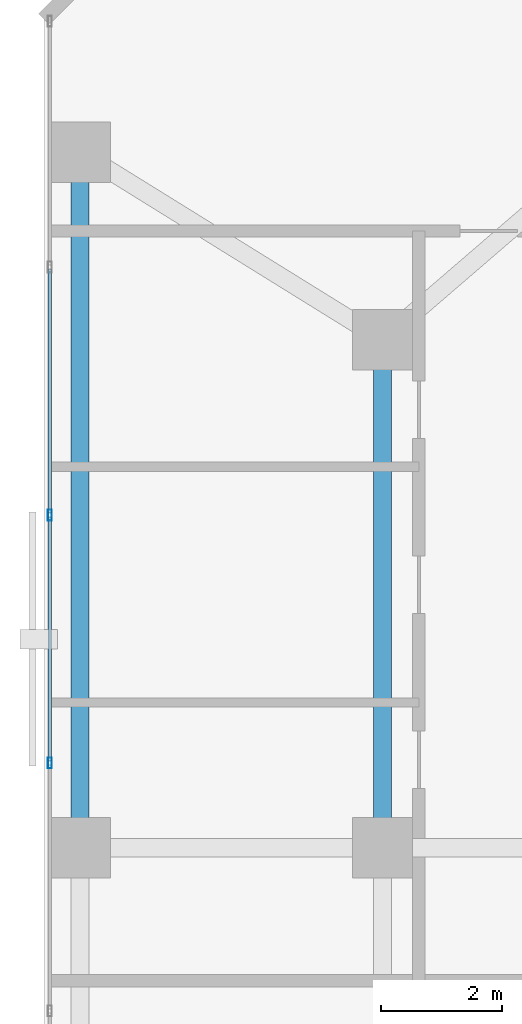
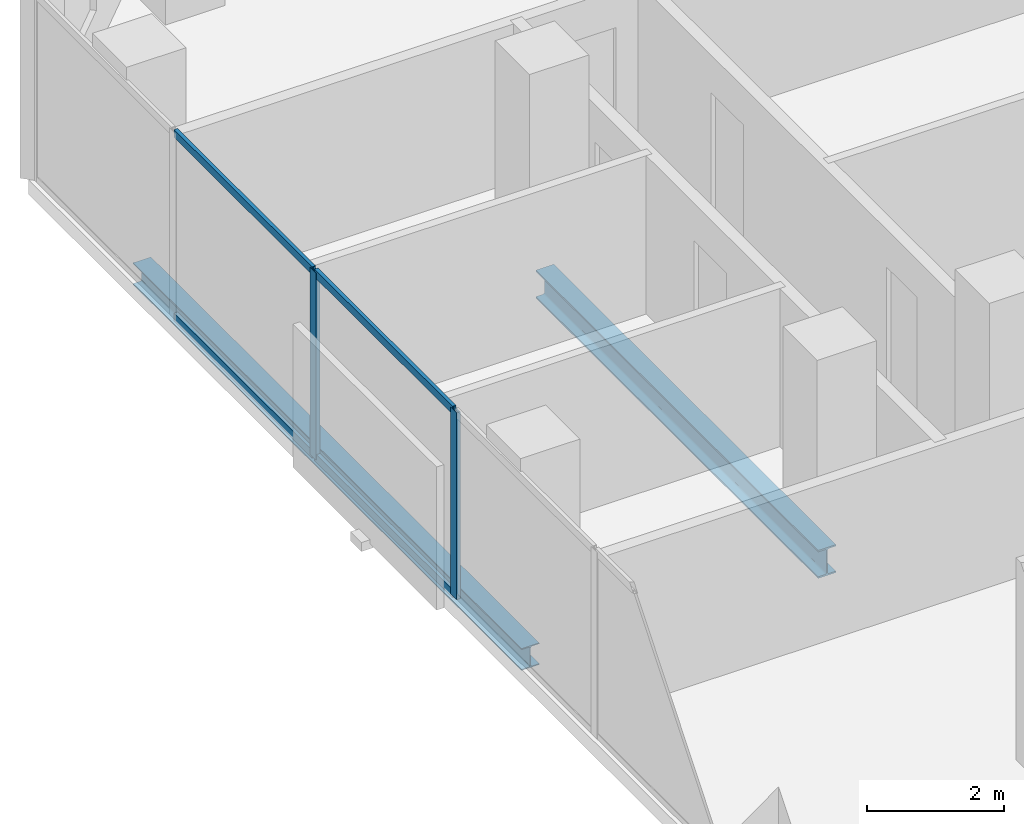
# One storey, part 16 of 31: 6 members, 2 beams, 1 element without a shape of its own.
"""IFC4 building model written with IfcOpenShell, lengths in metres."""

from ifc_helpers import new_model, si_unit, direction, frame, origin, origin_2d, place, context, subcontext, project, spatial, hollow_rectangle, i_section, extrude, material, layer, layer_set, material_profile, profile_set, type_object, element, aggregate, save


model = new_model("IFC4")

# Units and contexts
model_context = context("Model", 3, precision=1e-05, world=origin(), true_north=direction((0.0, 1.0)))
body_context = subcontext(model_context, "Body", "Model", "MODEL_VIEW")
ifc_project = project(units=[si_unit("LENGTHUNIT", "METRE"), si_unit("AREAUNIT", "SQUARE_METRE"), si_unit("VOLUMEUNIT", "CUBIC_METRE"), si_unit("PLANEANGLEUNIT", "RADIAN"), si_unit("MASSUNIT", "GRAM", prefix="KILO")], contexts=[model_context])

# Site, building, storey
site_placement = place(None, origin())
site = spatial("IfcSite", under=ifc_project, at=site_placement, CompositionType="ELEMENT")
building_placement = place(site_placement, origin())
building = spatial("IfcBuilding", under=site, at=building_placement, Name="Catumbela Crestline Tower", CompositionType="ELEMENT")
storey_placement = place(building_placement, frame((0.0, 0.0, 40.2)))
storey = spatial("IfcBuildingStorey", under=building, at=storey_placement, Name="L09", CompositionType="ELEMENT", Elevation=40.2)

# Beam
ifc_material_1 = material(Name="Structural steel S355J2", Category="steel")
ifc_material_profile_1 = material_profile(ifc_material_1, i_section(OverallWidth=0.3, OverallDepth=0.5, WebThickness=0.0145, FlangeThickness=0.028, FilletRadius=0.027, at=origin_2d()), Name="HEB 500")
ifc_profile_set_1 = profile_set([ifc_material_profile_1], Name="Structural steel S355J2")
beam_type_1 = type_object("IfcBeamType", Name="BG-HEB500", PredefinedType="BEAM", material=ifc_profile_set_1)
beam_1_placement = place(storey_placement, frame((5.6, 30.88, -0.51), z_axis=(0.0, 1.0, 0.0), x_axis=(-1.0, 0.0, 0.0)))
element("IfcBeam", 1, at=beam_1_placement, inside=storey, type_object=beam_type_1, Name="L09 Beam BM-L09-SN28", PredefinedType="BEAM", context=body_context, shape_type="SweptSolid", body=[
    extrude(i_section(OverallWidth=0.3, OverallDepth=0.5, WebThickness=0.0145, FlangeThickness=0.028, FilletRadius=0.027, at=origin_2d()), origin(), (0.0, 0.0, 1.0), 8.24),
])

# Curtain wall, members
ifc_material_2 = material(Name="Aluminium alloy AW-6060-T66", Category="aluminium")
ifc_layer = layer(ifc_material_2, 0.18, Name="Aluminium alloy AW-6060-T66")
ifc_layer_set = layer_set([ifc_layer], Name="Aluminium alloy AW-6060-T66")
curtain_wall_type = type_object("IfcCurtainWallType", Name="CWU-Z1", PredefinedType="USERDEFINED", material=ifc_layer_set)
curtain_wall_placement = place(storey_placement, origin())
curtain_wall = element("IfcCurtainWall", 2, at=curtain_wall_placement, inside=storey, type_object=curtain_wall_type, Name="L09 Unitised Curtain Wall CW-L09-E9S1", ObjectType="UNITISED", PredefinedType="USERDEFINED")
ifc_material_profile_2 = material_profile(ifc_material_2, hollow_rectangle(XDim=0.065, YDim=0.18, WallThickness=0.004, at=origin_2d()), Name="ALU 180x65x4")
ifc_profile_set_2 = profile_set([ifc_material_profile_2], Name="Aluminium alloy AW-6060-T66")
member_type_1 = type_object("IfcMemberType", Name="MUL-180X65", PredefinedType="MULLION", material=ifc_profile_set_2)
member_1_placement = place(storey_placement, frame((0.1, 36.3, 0.0), z_axis=(0.0, 0.0, 1.0), x_axis=(1.0, 0.0, 0.0)))
member_1 = element("IfcMember", 3, at=member_1_placement, type_object=member_type_1, Name="CWU-Z1 mullion 3", PredefinedType="MULLION", context=body_context, shape_type="SweptSolid", body=[
    extrude(hollow_rectangle(XDim=0.065, YDim=0.18, WallThickness=0.004, at=origin_2d()), origin(), (0.0, 0.0, 1.0), 3.33),
])
member_2_placement = place(storey_placement, frame((0.1, 32.2, 0.0), z_axis=(0.0, 0.0, 1.0), x_axis=(1.0, 0.0, 0.0)))
member_2 = element("IfcMember", 4, at=member_2_placement, type_object=member_type_1, Name="CWU-Z1 mullion 4", PredefinedType="MULLION", context=body_context, shape_type="SweptSolid", body=[
    extrude(hollow_rectangle(XDim=0.065, YDim=0.18, WallThickness=0.004, at=origin_2d()), origin(), (0.0, 0.0, 1.0), 3.33),
])

# Beam
ifc_material_profile_3 = material_profile(ifc_material_1, i_section(OverallWidth=0.3, OverallDepth=0.39, WebThickness=0.011, FlangeThickness=0.019, FilletRadius=0.027, at=origin_2d()), Name="HEA 400")
ifc_profile_set_3 = profile_set([ifc_material_profile_3], Name="Structural steel S355J2")
beam_type_2 = type_object("IfcBeamType", Name="BS-HEA400", PredefinedType="SPANDREL", material=ifc_profile_set_3)
beam_2_placement = place(storey_placement, frame((0.6, 30.88, -0.455), z_axis=(0.0, 1.0, 0.0), x_axis=(-1.0, 0.0, 0.0)))
element("IfcBeam", 5, at=beam_2_placement, inside=storey, type_object=beam_type_2, Name="L09 Spandrel SP-L09-SN26", PredefinedType="SPANDREL", context=body_context, shape_type="SweptSolid", body=[
    extrude(i_section(OverallWidth=0.3, OverallDepth=0.39, WebThickness=0.011, FlangeThickness=0.019, FilletRadius=0.027, at=origin_2d()), origin(), (0.0, 0.0, 1.0), 11.34),
])

# Member
ifc_material_profile_4 = material_profile(ifc_material_2, hollow_rectangle(XDim=0.06, YDim=0.14, WallThickness=0.004, at=origin_2d()), Name="ALU 140x60x4")
ifc_profile_set_4 = profile_set([ifc_material_profile_4], Name="Aluminium alloy AW-6060-T66")
member_type_2 = type_object("IfcMemberType", Name="TRN-140X60", PredefinedType="USERDEFINED", material=ifc_profile_set_4)
member_3_placement = place(storey_placement, frame((0.1, 40.3675, 0.03), z_axis=(0.0, -1.0, 0.0), x_axis=(1.0, 0.0, 0.0)))
member_3 = element("IfcMember", 6, at=member_3_placement, type_object=member_type_2, Name="CWU-Z1 transom 2.1", ObjectType="TRANSOM", PredefinedType="USERDEFINED", context=body_context, shape_type="SweptSolid", body=[
    extrude(hollow_rectangle(XDim=0.06, YDim=0.14, WallThickness=0.004, at=origin_2d()), origin(), (0.0, 0.0, 1.0), 4.035),
])

member_4_placement = place(storey_placement, frame((0.1, 40.3675, 3.3), z_axis=(0.0, -1.0, 0.0), x_axis=(1.0, 0.0, 0.0)))
member_4 = element("IfcMember", 7, at=member_4_placement, type_object=member_type_2, Name="CWU-Z1 transom 2.2", ObjectType="TRANSOM", PredefinedType="USERDEFINED", context=body_context, shape_type="SweptSolid", body=[
    extrude(hollow_rectangle(XDim=0.06, YDim=0.14, WallThickness=0.004, at=origin_2d()), origin(), (0.0, 0.0, 1.0), 4.035),
])

member_5_placement = place(storey_placement, frame((0.1, 36.2675, 0.03), z_axis=(0.0, -1.0, 0.0), x_axis=(1.0, 0.0, 0.0)))
member_5 = element("IfcMember", 8, at=member_5_placement, type_object=member_type_2, Name="CWU-Z1 transom 3.1", ObjectType="TRANSOM", PredefinedType="USERDEFINED", context=body_context, shape_type="SweptSolid", body=[
    extrude(hollow_rectangle(XDim=0.06, YDim=0.14, WallThickness=0.004, at=origin_2d()), origin(), (0.0, 0.0, 1.0), 4.035),
])

member_6_placement = place(storey_placement, frame((0.1, 36.2675, 3.3), z_axis=(0.0, -1.0, 0.0), x_axis=(1.0, 0.0, 0.0)))
member_6 = element("IfcMember", 9, at=member_6_placement, type_object=member_type_2, Name="CWU-Z1 transom 3.2", ObjectType="TRANSOM", PredefinedType="USERDEFINED", context=body_context, shape_type="SweptSolid", body=[
    extrude(hollow_rectangle(XDim=0.06, YDim=0.14, WallThickness=0.004, at=origin_2d()), origin(), (0.0, 0.0, 1.0), 4.035),
])

aggregate(curtain_wall, [member_1, member_2, member_3, member_4, member_5, member_6])

save(model, "model.ifc")
